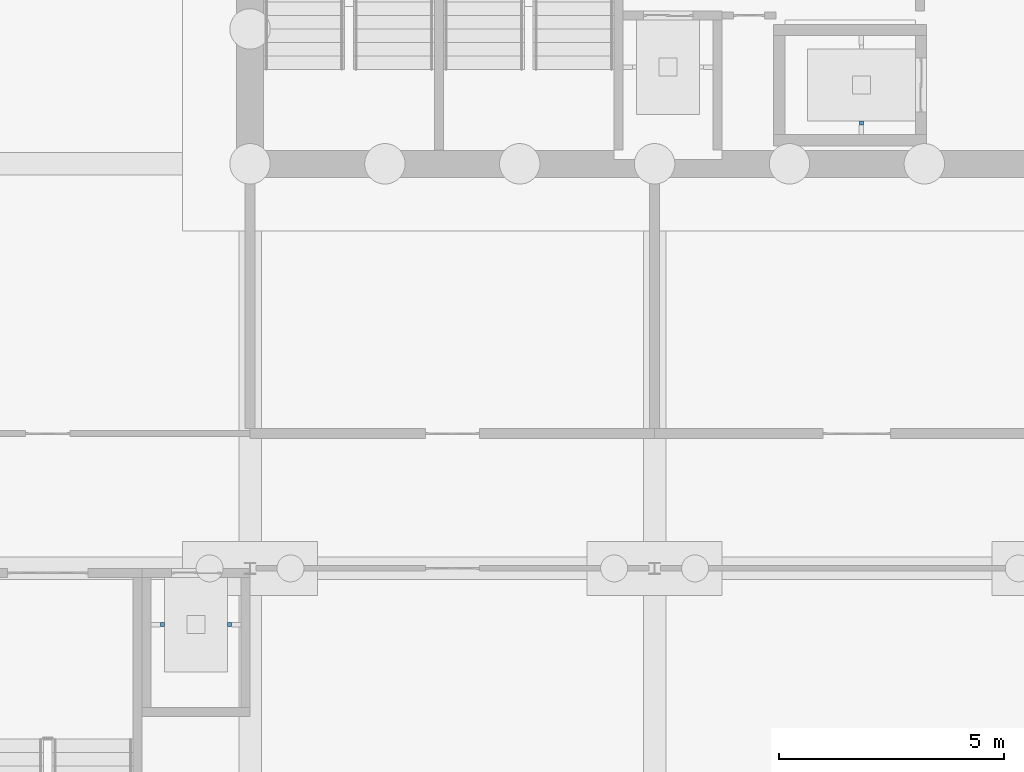
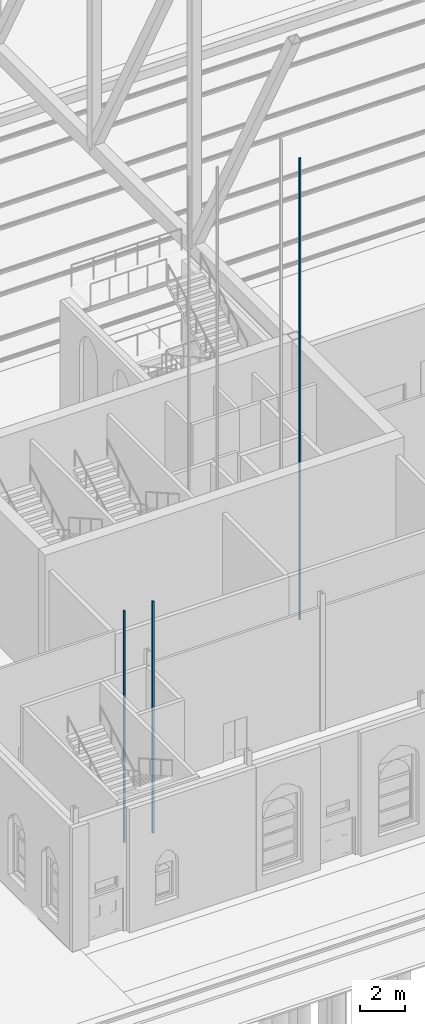
# One storey, part 142 of 250: 3 discrete accessories.
"""IFC4 building model written with IfcOpenShell, lengths in metres."""

from ifc_helpers import new_model, si_unit, direction, frame, origin, origin_2d, place, context, subcontext, project, spatial, rectangle, extrude, material, type_object, element, save


model = new_model("IFC4")

# Units and contexts
model_context = context("Model", 3, precision=1e-05, world=origin(), true_north=direction((0.0, 1.0)))
body_context = subcontext(model_context, "Body", "Model", "MODEL_VIEW")
ifc_project = project(units=[si_unit("LENGTHUNIT", "METRE"), si_unit("AREAUNIT", "SQUARE_METRE"), si_unit("VOLUMEUNIT", "CUBIC_METRE"), si_unit("PLANEANGLEUNIT", "RADIAN"), si_unit("MASSUNIT", "GRAM", prefix="KILO")], contexts=[model_context])

# Site, building, storey
site_placement = place(None, origin())
site = spatial("IfcSite", under=ifc_project, at=site_placement, CompositionType="ELEMENT")
building_placement = place(site_placement, origin())
building = spatial("IfcBuilding", under=site, at=building_placement, Name="Baradari Gate Terminus", CompositionType="ELEMENT")
storey_placement = place(building_placement, origin())
storey = spatial("IfcBuildingStorey", under=building, at=storey_placement, Name="L00", CompositionType="ELEMENT", Elevation=0.0)

# Discrete accessories
ifc_material = material(Name="Steel S355", Category="steel")
discrete_accessory_type = type_object("IfcDiscreteAccessoryType", Name="Lift guide rail GR-L1 90x90", PredefinedType="BRACKET", material=ifc_material)
discrete_accessory_placement = place(storey_placement, frame((85.60009765625, 27.905029296875, -1.60009765625), z_axis=(0.0, 0.0, 1.0), x_axis=(1.0, 0.0, 0.0)))
element("IfcDiscreteAccessory", 1, at=discrete_accessory_placement, inside=storey, type_object=discrete_accessory_type, Name="Lift guide rail LGS2 1", PredefinedType="BRACKET", context=body_context, shape_type="SweptSolid", body=[
    extrude(rectangle(XDim=0.090087890625, YDim=0.090087890625, at=origin_2d()), origin(), (0.0, 0.0, 1.0), 25.300048828125),
])
for number, where, z_axis, x_axis, name in (
    (2, (70.054931640625, 16.75, -1.60009765625), (0.0, 0.0, 1.0), (1.0, 0.0, 0.0), "Lift guide rail LSW1 1"),
    (3, (71.544921875, 16.75, -1.60009765625), (0.0, 0.0, 1.0), (1.0, 0.0, 0.0), "Lift guide rail LSW1 2"),
):
    element("IfcDiscreteAccessory", number, at=place(storey_placement, frame(where, z_axis=z_axis, x_axis=x_axis)), inside=storey, type_object=discrete_accessory_type, Name=name, PredefinedType="BRACKET", context=body_context, shape_type="SweptSolid", body=[
        extrude(rectangle(XDim=0.090087890625, YDim=0.090087890625, at=origin_2d()), origin(), (0.0, 0.0, 1.0), 12.699951171875),
    ])

save(model, "model.ifc")
